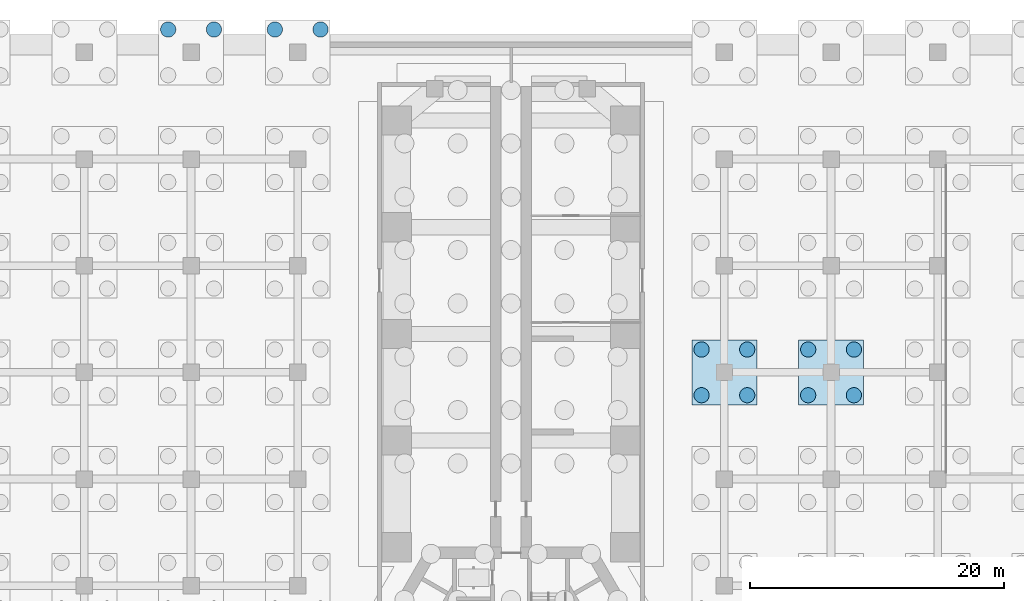
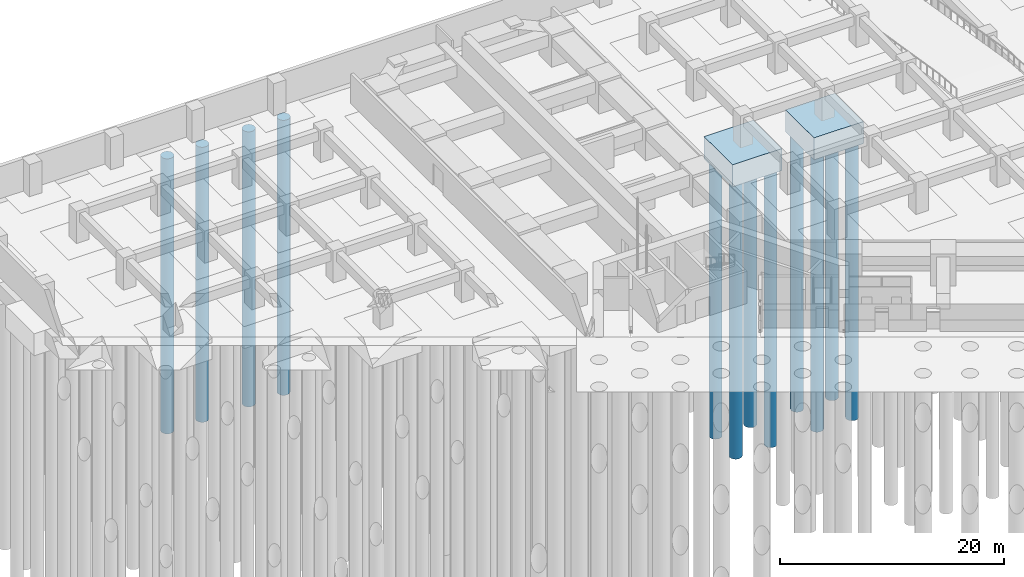
# One storey, part 41 of 73: 12 piles, 2 footings.
"""IFC4 building model written with IfcOpenShell, lengths in metres."""

import ifcopenshell
import ifcopenshell.guid

model = None  # the IFC model being written
_history = None  # IfcOwnerHistory: only IFC2X3 demands one
_inside = {}  # id of a spatial element -> (the spatial element, [elements in it])
_under = {}  # id of a project, library or spatial element -> (it, [spatial elements below it])
_declared = {}  # id of a project -> (the project, [libraries it declares])
_typed = {}  # id of a type object -> (the type object, [elements of that type])
_made_of = {}  # id of a material, layer set ... -> (it, [elements and type objects made of it])


def new_model(schema):
    """Start an empty IFC model of exactly this schema.

    Asked for "IFC4X3", IfcOpenShell would pick the latest addendum, in which some entities
    have other attributes; the version numbers below select the first issue.
    IFC2X3 requires an IfcOwnerHistory on every rooted entity: one is made here for all.
    """
    global model, _history
    if schema == "IFC4X3":
        model = ifcopenshell.file(schema_version=(4, 3, 0, 0))
    else:
        model = ifcopenshell.file(schema=schema)
    _inside.clear()
    _under.clear()
    _declared.clear()
    _typed.clear()
    _made_of.clear()
    _history = None
    if model.schema == "IFC2X3":
        org = make("IfcOrganization", Name="unknown")
        user = make(
            "IfcPersonAndOrganization",
            ThePerson=make("IfcPerson", FamilyName="unknown"),
            TheOrganization=org,
        )
        app = make(
            "IfcApplication",
            ApplicationDeveloper=org,
            Version="unknown",
            ApplicationFullName="unknown",
            ApplicationIdentifier="unknown",
        )
        _history = make(
            "IfcOwnerHistory",
            OwningUser=user,
            OwningApplication=app,
            ChangeAction="ADDED",
            CreationDate=0,
        )
    return model


def make(cls, **values):
    """One entity of the class cls with the attributes given. An attribute that is None is left unset."""
    return model.create_entity(
        cls, **{name: value for name, value in values.items() if value is not None}
    )


def rooted(cls, **values):
    """An entity with a GlobalId (a new one), such as an element, a storey or a relation."""
    return make(cls, GlobalId=ifcopenshell.guid.new(), OwnerHistory=_history, **values)


def si_unit(unit_type, name, prefix=None):
    """IfcSIUnit, for example si_unit("LENGTHUNIT", "METRE", prefix="MILLI")."""
    return make("IfcSIUnit", UnitType=unit_type, Prefix=prefix, Name=name)


def assignment(units):
    """IfcUnitAssignment: the units of a project."""
    return None if units is None else make("IfcUnitAssignment", Units=units)


def point(xyz):
    """IfcCartesianPoint."""
    return None if xyz is None else make("IfcCartesianPoint", Coordinates=xyz)


def direction(xyz):
    """IfcDirection."""
    return None if xyz is None else make("IfcDirection", DirectionRatios=xyz)


def frame(location, z_axis=None, x_axis=None):
    """IfcAxis2Placement3D, a coordinate frame: its origin and axes. An axis left out is left unset."""
    return make(
        "IfcAxis2Placement3D",
        Location=point(location),
        Axis=direction(z_axis),
        RefDirection=direction(x_axis),
    )


def frame_2d(location, x_axis=None):
    """IfcAxis2Placement2D, a coordinate frame in the plane: its origin and x axis."""
    return make(
        "IfcAxis2Placement2D", Location=point(location), RefDirection=direction(x_axis)
    )


def origin():
    """The frame at (0, 0, 0) with its axes left unset."""
    return frame((0.0, 0.0, 0.0))


def origin_2d():
    """The frame at (0, 0) in the plane with its x axis left unset."""
    return frame_2d((0.0, 0.0))


def place(relative_to, where):
    """IfcLocalPlacement: puts the frame where relative to a parent placement (None: the world)."""
    return make(
        "IfcLocalPlacement", PlacementRelTo=relative_to, RelativePlacement=where
    )


def context(
    kind, dimensions, precision=None, world=None, true_north=None, identifier=None
):
    """IfcGeometricRepresentationContext, for example the 3D "Model" context."""
    return make(
        "IfcGeometricRepresentationContext",
        ContextIdentifier=identifier,
        ContextType=kind,
        CoordinateSpaceDimension=dimensions,
        Precision=precision,
        WorldCoordinateSystem=world,
        TrueNorth=true_north,
    )


def subcontext(parent, identifier, kind, view, scale=None):
    """IfcGeometricRepresentationSubContext, for example "Body" below "Model"."""
    return make(
        "IfcGeometricRepresentationSubContext",
        ContextIdentifier=identifier,
        ContextType=kind,
        ParentContext=parent,
        TargetScale=scale,
        TargetView=view,
    )


def project(units=None, contexts=None):
    """IfcProject with its units and contexts."""
    return rooted(
        "IfcProject",
        Name="project",
        RepresentationContexts=contexts,
        UnitsInContext=assignment(units),
    )


def spatial(cls, under=None, at=None, **own):
    """A site, building, storey or space (cls), placed at a placement, below another one or the project."""
    s = rooted(cls, ObjectPlacement=at, **own)
    if under is not None:
        _under.setdefault(under.id(), (under, []))[1].append(s)
    return s


def polyline(points):
    """IfcPolyline through the points."""
    return make("IfcPolyline", Points=[point(p) for p in points])


def profile(cls, at=None, kind="AREA", **sizes):
    """A parametric profile (cls). Its sizes go by their IFC names, for example OverallWidth=200.0."""
    return make(cls, ProfileType=kind, Position=at, **sizes)


def circle(**sizes):
    """IfcCircleProfileDef."""
    return profile("IfcCircleProfileDef", **sizes)


def outline(outer, holes=None, kind="AREA"):
    """IfcArbitraryClosedProfileDef: a profile drawn as a closed curve; with holes, ...WithVoids."""
    if holes is None:
        return make("IfcArbitraryClosedProfileDef", ProfileType=kind, OuterCurve=outer)
    return make(
        "IfcArbitraryProfileDefWithVoids",
        ProfileType=kind,
        OuterCurve=outer,
        InnerCurves=holes,
    )


def extrude(swept, where, along, depth):
    """IfcExtrudedAreaSolid: the profile swept, set in the frame where, extruded along a direction by depth."""
    return make(
        "IfcExtrudedAreaSolid",
        SweptArea=swept,
        Position=where,
        ExtrudedDirection=direction(along),
        Depth=depth,
    )


def shape(context_of_items, identifier, shape_type, items):
    """IfcShapeRepresentation: the items that make up one representation, for example the "Body"."""
    return make(
        "IfcShapeRepresentation",
        ContextOfItems=context_of_items,
        RepresentationIdentifier=identifier,
        RepresentationType=shape_type,
        Items=items,
    )


def material(Name=None, Category=None):
    """IfcMaterial."""
    return make("IfcMaterial", Name=Name, Category=Category)


def material_profile(
    of_material, cross_section, Name=None, Category=None, Priority=None
):
    """IfcMaterialProfile: a cross section and its material."""
    return make(
        "IfcMaterialProfile",
        Name=Name,
        Material=of_material,
        Profile=cross_section,
        Priority=Priority,
        Category=Category,
    )


def profile_set(profiles, Name=None, composite=None):
    """IfcMaterialProfileSet."""
    return make(
        "IfcMaterialProfileSet",
        Name=Name,
        MaterialProfiles=profiles,
        CompositeProfile=composite,
    )


def made_of(thing, what):
    """Note that an element or type object is made of a material, layer set ...; save() writes the relation."""
    if what is not None:
        _made_of.setdefault(what.id(), (what, []))[1].append(thing)
    return thing


def type_object(cls, material=None, **own):
    """A type object (cls), such as IfcWallType, which elements share."""
    return made_of(rooted(cls, **own), material)


def element(
    cls,
    number,
    at=None,
    inside=None,
    cuts=None,
    type_object=None,
    material=None,
    context=None,
    identifier="Body",
    shape_type=None,
    held_by="IfcProductDefinitionShape",
    body=None,
    shapes=None,
    **own,
):
    """One element of the class cls, such as IfcWall. Its Tag is "e" and its number.

    at: its placement. inside: the storey or other place that contains it. cuts: it is an
    opening in that element (IfcRelVoidsElement). A single representation is given by context,
    identifier, shape_type and body (its items); several are given by shapes. held_by: the class
    of the entity that holds the representations. save() writes the other relations.
    """
    e = rooted(cls, Tag="e%d" % number, ObjectPlacement=at, **own)
    if body is not None:
        shapes = [shape(context, identifier, shape_type, body)]
    if shapes is not None:
        e.Representation = make(held_by, Representations=shapes)
    if inside is not None:
        _inside.setdefault(inside.id(), (inside, []))[1].append(e)
    if cuts is not None:
        rooted(
            "IfcRelVoidsElement", RelatingBuildingElement=cuts, RelatedOpeningElement=e
        )
    if type_object is not None:
        _typed.setdefault(type_object.id(), (type_object, []))[1].append(e)
    return made_of(e, material)


def aggregate(whole, parts):
    """IfcRelAggregates: a whole, such as a stair, and the parts it consists of."""
    return rooted("IfcRelAggregates", RelatingObject=whole, RelatedObjects=parts)


def save(model, path):
    """Write the relations noted so far, then the file.

    IfcRelAggregates (storeys below a building ...), IfcRelContainedInSpatialStructure (elements
    in a storey), IfcRelDefinesByType, IfcRelAssociatesMaterial and IfcRelDeclares: one each for
    every whole, place, type object, material and project.
    """
    for whole, parts in _under.values():
        aggregate(whole, parts)
    for where, things in _inside.values():
        rooted(
            "IfcRelContainedInSpatialStructure",
            RelatedElements=things,
            RelatingStructure=where,
        )
    for kind, things in _typed.values():
        rooted("IfcRelDefinesByType", RelatedObjects=things, RelatingType=kind)
    for what, things in _made_of.values():
        rooted("IfcRelAssociatesMaterial", RelatedObjects=things, RelatingMaterial=what)
    for by, libraries in _declared.values():
        rooted("IfcRelDeclares", RelatingContext=by, RelatedDefinitions=libraries)
    model.write(path)


model = new_model("IFC4")

# Units and contexts
model_context = context("Model", 3, precision=1e-05, world=origin(), true_north=direction((0.0, 1.0)))
body_context = subcontext(model_context, "Body", "Model", "MODEL_VIEW")
ifc_project = project(units=[si_unit("LENGTHUNIT", "METRE"), si_unit("AREAUNIT", "SQUARE_METRE"), si_unit("VOLUMEUNIT", "CUBIC_METRE"), si_unit("PLANEANGLEUNIT", "RADIAN"), si_unit("MASSUNIT", "GRAM", prefix="KILO")], contexts=[model_context])

# Site, building, storey
site_placement = place(None, origin())
site = spatial("IfcSite", under=ifc_project, at=site_placement, CompositionType="ELEMENT")
building_placement = place(site_placement, origin())
building = spatial("IfcBuilding", under=site, at=building_placement, Name="Impinga Residences", CompositionType="ELEMENT")
storey_placement = place(building_placement, frame((0.0, 0.0, -10.5)))
storey = spatial("IfcBuildingStorey", under=building, at=storey_placement, Name="B3", CompositionType="ELEMENT", Elevation=-10.5)

# Piles
ifc_material_1 = material(Name="Concrete C35/45", Category="concrete")
ifc_material_profile = material_profile(ifc_material_1, circle(Radius=0.60009765625, at=origin_2d()), Name="D1200")
ifc_profile_set = profile_set([ifc_material_profile], Name="Concrete C35/45")
pile_type = type_object("IfcPileType", Name="BP2 bored pile D1200", PredefinedType="BORED", material=ifc_profile_set)
pile_1_placement = place(storey_placement, frame((-23.39990234375, 52.199951171875, -2.39990234375), z_axis=(0.0, 0.0, -1.0), x_axis=(1.0, 0.0, 0.0)))
element("IfcPile", 1, at=pile_1_placement, inside=storey, type_object=pile_type, Name="Cap pile BP2 4/M-3", PredefinedType="BORED", context=body_context, shape_type="SweptSolid", body=[
    extrude(outline(polyline([(0.60009765625, 0.0), (0.59716796875, 0.058837890625), (0.58837890625, 0.116943359375), (0.57421875, 0.174072265625), (0.554443359375, 0.2294921875), (0.529052734375, 0.282958984375), (0.498779296875, 0.333251953125), (0.4638671875, 0.380615234375), (0.42431640625, 0.42431640625), (0.380615234375, 0.4638671875), (0.333251953125, 0.498779296875), (0.282958984375, 0.529052734375), (0.2294921875, 0.554443359375), (0.174072265625, 0.57421875), (0.116943359375, 0.58837890625), (0.058837890625, 0.59716796875), (0.0, 0.60009765625), (-0.058837890625, 0.59716796875), (-0.116943359375, 0.58837890625), (-0.174072265625, 0.57421875), (-0.2294921875, 0.554443359375), (-0.282958984375, 0.529052734375), (-0.333251953125, 0.498779296875), (-0.380615234375, 0.4638671875), (-0.42431640625, 0.42431640625), (-0.4638671875, 0.380615234375), (-0.498779296875, 0.333251953125), (-0.529052734375, 0.282958984375), (-0.554443359375, 0.2294921875), (-0.57421875, 0.174072265625), (-0.58837890625, 0.116943359375), (-0.59716796875, 0.058837890625), (-0.60009765625, 0.0), (-0.59716796875, -0.058837890625), (-0.58837890625, -0.116943359375), (-0.57421875, -0.174072265625), (-0.554443359375, -0.2294921875), (-0.529052734375, -0.282958984375), (-0.498779296875, -0.333251953125), (-0.4638671875, -0.380615234375), (-0.42431640625, -0.42431640625), (-0.380615234375, -0.4638671875), (-0.333251953125, -0.498779296875), (-0.282958984375, -0.529052734375), (-0.2294921875, -0.554443359375), (-0.174072265625, -0.57421875), (-0.116943359375, -0.58837890625), (-0.058837890625, -0.59716796875), (0.0, -0.60009765625), (0.058837890625, -0.59716796875), (0.116943359375, -0.58837890625), (0.174072265625, -0.57421875), (0.2294921875, -0.554443359375), (0.282958984375, -0.529052734375), (0.333251953125, -0.498779296875), (0.380615234375, -0.4638671875), (0.42431640625, -0.42431640625), (0.4638671875, -0.380615234375), (0.498779296875, -0.333251953125), (0.529052734375, -0.282958984375), (0.554443359375, -0.2294921875), (0.57421875, -0.174072265625), (0.58837890625, -0.116943359375), (0.59716796875, -0.058837890625), (0.60009765625, 0.0)])), origin(), (0.0, 0.0, 1.0), 30.0),
])
pile_2_placement = place(storey_placement, frame((-27.0, 52.199951171875, -2.39990234375), z_axis=(0.0, 0.0, -1.0), x_axis=(1.0, 0.0, 0.0)))
element("IfcPile", 2, at=pile_2_placement, inside=storey, type_object=pile_type, Name="Cap pile BP2 4/M-4", PredefinedType="BORED", context=body_context, shape_type="SweptSolid", body=[
    extrude(outline(polyline([(0.60009765625, 0.0), (0.59716796875, 0.058837890625), (0.58837890625, 0.116943359375), (0.57421875, 0.174072265625), (0.554443359375, 0.2294921875), (0.529052734375, 0.282958984375), (0.498779296875, 0.333251953125), (0.4638671875, 0.380615234375), (0.42431640625, 0.42431640625), (0.380615234375, 0.4638671875), (0.333251953125, 0.498779296875), (0.282958984375, 0.529052734375), (0.2294921875, 0.554443359375), (0.174072265625, 0.57421875), (0.116943359375, 0.58837890625), (0.058837890625, 0.59716796875), (0.0, 0.60009765625), (-0.058837890625, 0.59716796875), (-0.116943359375, 0.58837890625), (-0.174072265625, 0.57421875), (-0.2294921875, 0.554443359375), (-0.282958984375, 0.529052734375), (-0.333251953125, 0.498779296875), (-0.380615234375, 0.4638671875), (-0.42431640625, 0.42431640625), (-0.4638671875, 0.380615234375), (-0.498779296875, 0.333251953125), (-0.529052734375, 0.282958984375), (-0.554443359375, 0.2294921875), (-0.57421875, 0.174072265625), (-0.58837890625, 0.116943359375), (-0.59716796875, 0.058837890625), (-0.60009765625, 0.0), (-0.59716796875, -0.058837890625), (-0.58837890625, -0.116943359375), (-0.57421875, -0.174072265625), (-0.554443359375, -0.2294921875), (-0.529052734375, -0.282958984375), (-0.498779296875, -0.333251953125), (-0.4638671875, -0.380615234375), (-0.42431640625, -0.42431640625), (-0.380615234375, -0.4638671875), (-0.333251953125, -0.498779296875), (-0.282958984375, -0.529052734375), (-0.2294921875, -0.554443359375), (-0.174072265625, -0.57421875), (-0.116943359375, -0.58837890625), (-0.058837890625, -0.59716796875), (0.0, -0.60009765625), (0.058837890625, -0.59716796875), (0.116943359375, -0.58837890625), (0.174072265625, -0.57421875), (0.2294921875, -0.554443359375), (0.282958984375, -0.529052734375), (0.333251953125, -0.498779296875), (0.380615234375, -0.4638671875), (0.42431640625, -0.42431640625), (0.4638671875, -0.380615234375), (0.498779296875, -0.333251953125), (0.529052734375, -0.282958984375), (0.554443359375, -0.2294921875), (0.57421875, -0.174072265625), (0.58837890625, -0.116943359375), (0.59716796875, -0.058837890625), (0.60009765625, 0.0)])), origin(), (0.0, 0.0, 1.0), 30.0),
])
pile_3_placement = place(storey_placement, frame((-15.0, 52.199951171875, -2.39990234375), z_axis=(0.0, 0.0, -1.0), x_axis=(1.0, 0.0, 0.0)))
element("IfcPile", 3, at=pile_3_placement, inside=storey, type_object=pile_type, Name="Cap pile BP2 5/M-3", PredefinedType="BORED", context=body_context, shape_type="SweptSolid", body=[
    extrude(outline(polyline([(0.60009765625, 0.0), (0.59716796875, 0.058837890625), (0.58837890625, 0.116943359375), (0.57421875, 0.174072265625), (0.554443359375, 0.2294921875), (0.529052734375, 0.282958984375), (0.498779296875, 0.333251953125), (0.4638671875, 0.380615234375), (0.42431640625, 0.42431640625), (0.380615234375, 0.4638671875), (0.333251953125, 0.498779296875), (0.282958984375, 0.529052734375), (0.2294921875, 0.554443359375), (0.174072265625, 0.57421875), (0.116943359375, 0.58837890625), (0.058837890625, 0.59716796875), (0.0, 0.60009765625), (-0.058837890625, 0.59716796875), (-0.116943359375, 0.58837890625), (-0.174072265625, 0.57421875), (-0.2294921875, 0.554443359375), (-0.282958984375, 0.529052734375), (-0.333251953125, 0.498779296875), (-0.380615234375, 0.4638671875), (-0.42431640625, 0.42431640625), (-0.4638671875, 0.380615234375), (-0.498779296875, 0.333251953125), (-0.529052734375, 0.282958984375), (-0.554443359375, 0.2294921875), (-0.57421875, 0.174072265625), (-0.58837890625, 0.116943359375), (-0.59716796875, 0.058837890625), (-0.60009765625, 0.0), (-0.59716796875, -0.058837890625), (-0.58837890625, -0.116943359375), (-0.57421875, -0.174072265625), (-0.554443359375, -0.2294921875), (-0.529052734375, -0.282958984375), (-0.498779296875, -0.333251953125), (-0.4638671875, -0.380615234375), (-0.42431640625, -0.42431640625), (-0.380615234375, -0.4638671875), (-0.333251953125, -0.498779296875), (-0.282958984375, -0.529052734375), (-0.2294921875, -0.554443359375), (-0.174072265625, -0.57421875), (-0.116943359375, -0.58837890625), (-0.058837890625, -0.59716796875), (0.0, -0.60009765625), (0.058837890625, -0.59716796875), (0.116943359375, -0.58837890625), (0.174072265625, -0.57421875), (0.2294921875, -0.554443359375), (0.282958984375, -0.529052734375), (0.333251953125, -0.498779296875), (0.380615234375, -0.4638671875), (0.42431640625, -0.42431640625), (0.4638671875, -0.380615234375), (0.498779296875, -0.333251953125), (0.529052734375, -0.282958984375), (0.554443359375, -0.2294921875), (0.57421875, -0.174072265625), (0.58837890625, -0.116943359375), (0.59716796875, -0.058837890625), (0.60009765625, 0.0)])), origin(), (0.0, 0.0, 1.0), 30.0),
])
pile_4_placement = place(storey_placement, frame((-18.60009765625, 52.199951171875, -2.39990234375), z_axis=(0.0, 0.0, -1.0), x_axis=(1.0, 0.0, 0.0)))
element("IfcPile", 4, at=pile_4_placement, inside=storey, type_object=pile_type, Name="Cap pile BP2 5/M-4", PredefinedType="BORED", context=body_context, shape_type="SweptSolid", body=[
    extrude(outline(polyline([(0.60009765625, 0.0), (0.59716796875, 0.058837890625), (0.58837890625, 0.116943359375), (0.57421875, 0.174072265625), (0.554443359375, 0.2294921875), (0.529052734375, 0.282958984375), (0.498779296875, 0.333251953125), (0.4638671875, 0.380615234375), (0.42431640625, 0.42431640625), (0.380615234375, 0.4638671875), (0.333251953125, 0.498779296875), (0.282958984375, 0.529052734375), (0.2294921875, 0.554443359375), (0.174072265625, 0.57421875), (0.116943359375, 0.58837890625), (0.058837890625, 0.59716796875), (0.0, 0.60009765625), (-0.058837890625, 0.59716796875), (-0.116943359375, 0.58837890625), (-0.174072265625, 0.57421875), (-0.2294921875, 0.554443359375), (-0.282958984375, 0.529052734375), (-0.333251953125, 0.498779296875), (-0.380615234375, 0.4638671875), (-0.42431640625, 0.42431640625), (-0.4638671875, 0.380615234375), (-0.498779296875, 0.333251953125), (-0.529052734375, 0.282958984375), (-0.554443359375, 0.2294921875), (-0.57421875, 0.174072265625), (-0.58837890625, 0.116943359375), (-0.59716796875, 0.058837890625), (-0.60009765625, 0.0), (-0.59716796875, -0.058837890625), (-0.58837890625, -0.116943359375), (-0.57421875, -0.174072265625), (-0.554443359375, -0.2294921875), (-0.529052734375, -0.282958984375), (-0.498779296875, -0.333251953125), (-0.4638671875, -0.380615234375), (-0.42431640625, -0.42431640625), (-0.380615234375, -0.4638671875), (-0.333251953125, -0.498779296875), (-0.282958984375, -0.529052734375), (-0.2294921875, -0.554443359375), (-0.174072265625, -0.57421875), (-0.116943359375, -0.58837890625), (-0.058837890625, -0.59716796875), (0.0, -0.60009765625), (0.058837890625, -0.59716796875), (0.116943359375, -0.58837890625), (0.174072265625, -0.57421875), (0.2294921875, -0.554443359375), (0.282958984375, -0.529052734375), (0.333251953125, -0.498779296875), (0.380615234375, -0.4638671875), (0.42431640625, -0.42431640625), (0.4638671875, -0.380615234375), (0.498779296875, -0.333251953125), (0.529052734375, -0.282958984375), (0.554443359375, -0.2294921875), (0.57421875, -0.174072265625), (0.58837890625, -0.116943359375), (0.59716796875, -0.058837890625), (0.60009765625, 0.0)])), origin(), (0.0, 0.0, 1.0), 30.0),
])
pile_5_placement = place(storey_placement, frame((15.0, 23.39990234375, -2.39990234375), z_axis=(0.0, 0.0, -1.0), x_axis=(1.0, 0.0, 0.0)))
element("IfcPile", 5, at=pile_5_placement, inside=storey, type_object=pile_type, Name="Cap pile BP2 9/J-1", PredefinedType="BORED", context=body_context, shape_type="SweptSolid", body=[
    extrude(outline(polyline([(0.60009765625, 0.0), (0.59716796875, 0.058837890625), (0.58837890625, 0.116943359375), (0.57421875, 0.174072265625), (0.554443359375, 0.2294921875), (0.529052734375, 0.282958984375), (0.498779296875, 0.333251953125), (0.4638671875, 0.380615234375), (0.42431640625, 0.42431640625), (0.380615234375, 0.4638671875), (0.333251953125, 0.498779296875), (0.282958984375, 0.529052734375), (0.2294921875, 0.554443359375), (0.174072265625, 0.57421875), (0.116943359375, 0.58837890625), (0.058837890625, 0.59716796875), (0.0, 0.60009765625), (-0.058837890625, 0.59716796875), (-0.116943359375, 0.58837890625), (-0.174072265625, 0.57421875), (-0.2294921875, 0.554443359375), (-0.282958984375, 0.529052734375), (-0.333251953125, 0.498779296875), (-0.380615234375, 0.4638671875), (-0.42431640625, 0.42431640625), (-0.4638671875, 0.380615234375), (-0.498779296875, 0.333251953125), (-0.529052734375, 0.282958984375), (-0.554443359375, 0.2294921875), (-0.57421875, 0.174072265625), (-0.58837890625, 0.116943359375), (-0.59716796875, 0.058837890625), (-0.60009765625, 0.0), (-0.59716796875, -0.058837890625), (-0.58837890625, -0.116943359375), (-0.57421875, -0.174072265625), (-0.554443359375, -0.2294921875), (-0.529052734375, -0.282958984375), (-0.498779296875, -0.333251953125), (-0.4638671875, -0.380615234375), (-0.42431640625, -0.42431640625), (-0.380615234375, -0.4638671875), (-0.333251953125, -0.498779296875), (-0.282958984375, -0.529052734375), (-0.2294921875, -0.554443359375), (-0.174072265625, -0.57421875), (-0.116943359375, -0.58837890625), (-0.058837890625, -0.59716796875), (0.0, -0.60009765625), (0.058837890625, -0.59716796875), (0.116943359375, -0.58837890625), (0.174072265625, -0.57421875), (0.2294921875, -0.554443359375), (0.282958984375, -0.529052734375), (0.333251953125, -0.498779296875), (0.380615234375, -0.4638671875), (0.42431640625, -0.42431640625), (0.4638671875, -0.380615234375), (0.498779296875, -0.333251953125), (0.529052734375, -0.282958984375), (0.554443359375, -0.2294921875), (0.57421875, -0.174072265625), (0.58837890625, -0.116943359375), (0.59716796875, -0.058837890625), (0.60009765625, 0.0)])), origin(), (0.0, 0.0, 1.0), 30.0),
])
pile_6_placement = place(storey_placement, frame((18.60009765625, 23.39990234375, -2.39990234375), z_axis=(0.0, 0.0, -1.0), x_axis=(1.0, 0.0, 0.0)))
element("IfcPile", 6, at=pile_6_placement, inside=storey, type_object=pile_type, Name="Cap pile BP2 9/J-2", PredefinedType="BORED", context=body_context, shape_type="SweptSolid", body=[
    extrude(outline(polyline([(0.60009765625, 0.0), (0.59716796875, 0.058837890625), (0.58837890625, 0.116943359375), (0.57421875, 0.174072265625), (0.554443359375, 0.2294921875), (0.529052734375, 0.282958984375), (0.498779296875, 0.333251953125), (0.4638671875, 0.380615234375), (0.42431640625, 0.42431640625), (0.380615234375, 0.4638671875), (0.333251953125, 0.498779296875), (0.282958984375, 0.529052734375), (0.2294921875, 0.554443359375), (0.174072265625, 0.57421875), (0.116943359375, 0.58837890625), (0.058837890625, 0.59716796875), (0.0, 0.60009765625), (-0.058837890625, 0.59716796875), (-0.116943359375, 0.58837890625), (-0.174072265625, 0.57421875), (-0.2294921875, 0.554443359375), (-0.282958984375, 0.529052734375), (-0.333251953125, 0.498779296875), (-0.380615234375, 0.4638671875), (-0.42431640625, 0.42431640625), (-0.4638671875, 0.380615234375), (-0.498779296875, 0.333251953125), (-0.529052734375, 0.282958984375), (-0.554443359375, 0.2294921875), (-0.57421875, 0.174072265625), (-0.58837890625, 0.116943359375), (-0.59716796875, 0.058837890625), (-0.60009765625, 0.0), (-0.59716796875, -0.058837890625), (-0.58837890625, -0.116943359375), (-0.57421875, -0.174072265625), (-0.554443359375, -0.2294921875), (-0.529052734375, -0.282958984375), (-0.498779296875, -0.333251953125), (-0.4638671875, -0.380615234375), (-0.42431640625, -0.42431640625), (-0.380615234375, -0.4638671875), (-0.333251953125, -0.498779296875), (-0.282958984375, -0.529052734375), (-0.2294921875, -0.554443359375), (-0.174072265625, -0.57421875), (-0.116943359375, -0.58837890625), (-0.058837890625, -0.59716796875), (0.0, -0.60009765625), (0.058837890625, -0.59716796875), (0.116943359375, -0.58837890625), (0.174072265625, -0.57421875), (0.2294921875, -0.554443359375), (0.282958984375, -0.529052734375), (0.333251953125, -0.498779296875), (0.380615234375, -0.4638671875), (0.42431640625, -0.42431640625), (0.4638671875, -0.380615234375), (0.498779296875, -0.333251953125), (0.529052734375, -0.282958984375), (0.554443359375, -0.2294921875), (0.57421875, -0.174072265625), (0.58837890625, -0.116943359375), (0.59716796875, -0.058837890625), (0.60009765625, 0.0)])), origin(), (0.0, 0.0, 1.0), 30.0),
])
pile_7_placement = place(storey_placement, frame((18.60009765625, 27.0, -2.39990234375), z_axis=(0.0, 0.0, -1.0), x_axis=(1.0, 0.0, 0.0)))
element("IfcPile", 7, at=pile_7_placement, inside=storey, type_object=pile_type, Name="Cap pile BP2 9/J-3", PredefinedType="BORED", context=body_context, shape_type="SweptSolid", body=[
    extrude(outline(polyline([(0.60009765625, 0.0), (0.59716796875, 0.058837890625), (0.58837890625, 0.116943359375), (0.57421875, 0.174072265625), (0.554443359375, 0.2294921875), (0.529052734375, 0.282958984375), (0.498779296875, 0.333251953125), (0.4638671875, 0.380615234375), (0.42431640625, 0.42431640625), (0.380615234375, 0.4638671875), (0.333251953125, 0.498779296875), (0.282958984375, 0.529052734375), (0.2294921875, 0.554443359375), (0.174072265625, 0.57421875), (0.116943359375, 0.58837890625), (0.058837890625, 0.59716796875), (0.0, 0.60009765625), (-0.058837890625, 0.59716796875), (-0.116943359375, 0.58837890625), (-0.174072265625, 0.57421875), (-0.2294921875, 0.554443359375), (-0.282958984375, 0.529052734375), (-0.333251953125, 0.498779296875), (-0.380615234375, 0.4638671875), (-0.42431640625, 0.42431640625), (-0.4638671875, 0.380615234375), (-0.498779296875, 0.333251953125), (-0.529052734375, 0.282958984375), (-0.554443359375, 0.2294921875), (-0.57421875, 0.174072265625), (-0.58837890625, 0.116943359375), (-0.59716796875, 0.058837890625), (-0.60009765625, 0.0), (-0.59716796875, -0.058837890625), (-0.58837890625, -0.116943359375), (-0.57421875, -0.174072265625), (-0.554443359375, -0.2294921875), (-0.529052734375, -0.282958984375), (-0.498779296875, -0.333251953125), (-0.4638671875, -0.380615234375), (-0.42431640625, -0.42431640625), (-0.380615234375, -0.4638671875), (-0.333251953125, -0.498779296875), (-0.282958984375, -0.529052734375), (-0.2294921875, -0.554443359375), (-0.174072265625, -0.57421875), (-0.116943359375, -0.58837890625), (-0.058837890625, -0.59716796875), (0.0, -0.60009765625), (0.058837890625, -0.59716796875), (0.116943359375, -0.58837890625), (0.174072265625, -0.57421875), (0.2294921875, -0.554443359375), (0.282958984375, -0.529052734375), (0.333251953125, -0.498779296875), (0.380615234375, -0.4638671875), (0.42431640625, -0.42431640625), (0.4638671875, -0.380615234375), (0.498779296875, -0.333251953125), (0.529052734375, -0.282958984375), (0.554443359375, -0.2294921875), (0.57421875, -0.174072265625), (0.58837890625, -0.116943359375), (0.59716796875, -0.058837890625), (0.60009765625, 0.0)])), origin(), (0.0, 0.0, 1.0), 30.0),
])
pile_8_placement = place(storey_placement, frame((15.0, 27.0, -2.39990234375), z_axis=(0.0, 0.0, -1.0), x_axis=(1.0, 0.0, 0.0)))
element("IfcPile", 8, at=pile_8_placement, inside=storey, type_object=pile_type, Name="Cap pile BP2 9/J-4", PredefinedType="BORED", context=body_context, shape_type="SweptSolid", body=[
    extrude(outline(polyline([(0.60009765625, 0.0), (0.59716796875, 0.058837890625), (0.58837890625, 0.116943359375), (0.57421875, 0.174072265625), (0.554443359375, 0.2294921875), (0.529052734375, 0.282958984375), (0.498779296875, 0.333251953125), (0.4638671875, 0.380615234375), (0.42431640625, 0.42431640625), (0.380615234375, 0.4638671875), (0.333251953125, 0.498779296875), (0.282958984375, 0.529052734375), (0.2294921875, 0.554443359375), (0.174072265625, 0.57421875), (0.116943359375, 0.58837890625), (0.058837890625, 0.59716796875), (0.0, 0.60009765625), (-0.058837890625, 0.59716796875), (-0.116943359375, 0.58837890625), (-0.174072265625, 0.57421875), (-0.2294921875, 0.554443359375), (-0.282958984375, 0.529052734375), (-0.333251953125, 0.498779296875), (-0.380615234375, 0.4638671875), (-0.42431640625, 0.42431640625), (-0.4638671875, 0.380615234375), (-0.498779296875, 0.333251953125), (-0.529052734375, 0.282958984375), (-0.554443359375, 0.2294921875), (-0.57421875, 0.174072265625), (-0.58837890625, 0.116943359375), (-0.59716796875, 0.058837890625), (-0.60009765625, 0.0), (-0.59716796875, -0.058837890625), (-0.58837890625, -0.116943359375), (-0.57421875, -0.174072265625), (-0.554443359375, -0.2294921875), (-0.529052734375, -0.282958984375), (-0.498779296875, -0.333251953125), (-0.4638671875, -0.380615234375), (-0.42431640625, -0.42431640625), (-0.380615234375, -0.4638671875), (-0.333251953125, -0.498779296875), (-0.282958984375, -0.529052734375), (-0.2294921875, -0.554443359375), (-0.174072265625, -0.57421875), (-0.116943359375, -0.58837890625), (-0.058837890625, -0.59716796875), (0.0, -0.60009765625), (0.058837890625, -0.59716796875), (0.116943359375, -0.58837890625), (0.174072265625, -0.57421875), (0.2294921875, -0.554443359375), (0.282958984375, -0.529052734375), (0.333251953125, -0.498779296875), (0.380615234375, -0.4638671875), (0.42431640625, -0.42431640625), (0.4638671875, -0.380615234375), (0.498779296875, -0.333251953125), (0.529052734375, -0.282958984375), (0.554443359375, -0.2294921875), (0.57421875, -0.174072265625), (0.58837890625, -0.116943359375), (0.59716796875, -0.058837890625), (0.60009765625, 0.0)])), origin(), (0.0, 0.0, 1.0), 30.0),
])
pile_9_placement = place(storey_placement, frame((23.39990234375, 23.39990234375, -2.39990234375), z_axis=(0.0, 0.0, -1.0), x_axis=(1.0, 0.0, 0.0)))
element("IfcPile", 9, at=pile_9_placement, inside=storey, type_object=pile_type, Name="Cap pile BP2 10/J-1", PredefinedType="BORED", context=body_context, shape_type="SweptSolid", body=[
    extrude(outline(polyline([(0.60009765625, 0.0), (0.59716796875, 0.058837890625), (0.58837890625, 0.116943359375), (0.57421875, 0.174072265625), (0.554443359375, 0.2294921875), (0.529052734375, 0.282958984375), (0.498779296875, 0.333251953125), (0.4638671875, 0.380615234375), (0.42431640625, 0.42431640625), (0.380615234375, 0.4638671875), (0.333251953125, 0.498779296875), (0.282958984375, 0.529052734375), (0.2294921875, 0.554443359375), (0.174072265625, 0.57421875), (0.116943359375, 0.58837890625), (0.058837890625, 0.59716796875), (0.0, 0.60009765625), (-0.058837890625, 0.59716796875), (-0.116943359375, 0.58837890625), (-0.174072265625, 0.57421875), (-0.2294921875, 0.554443359375), (-0.282958984375, 0.529052734375), (-0.333251953125, 0.498779296875), (-0.380615234375, 0.4638671875), (-0.42431640625, 0.42431640625), (-0.4638671875, 0.380615234375), (-0.498779296875, 0.333251953125), (-0.529052734375, 0.282958984375), (-0.554443359375, 0.2294921875), (-0.57421875, 0.174072265625), (-0.58837890625, 0.116943359375), (-0.59716796875, 0.058837890625), (-0.60009765625, 0.0), (-0.59716796875, -0.058837890625), (-0.58837890625, -0.116943359375), (-0.57421875, -0.174072265625), (-0.554443359375, -0.2294921875), (-0.529052734375, -0.282958984375), (-0.498779296875, -0.333251953125), (-0.4638671875, -0.380615234375), (-0.42431640625, -0.42431640625), (-0.380615234375, -0.4638671875), (-0.333251953125, -0.498779296875), (-0.282958984375, -0.529052734375), (-0.2294921875, -0.554443359375), (-0.174072265625, -0.57421875), (-0.116943359375, -0.58837890625), (-0.058837890625, -0.59716796875), (0.0, -0.60009765625), (0.058837890625, -0.59716796875), (0.116943359375, -0.58837890625), (0.174072265625, -0.57421875), (0.2294921875, -0.554443359375), (0.282958984375, -0.529052734375), (0.333251953125, -0.498779296875), (0.380615234375, -0.4638671875), (0.42431640625, -0.42431640625), (0.4638671875, -0.380615234375), (0.498779296875, -0.333251953125), (0.529052734375, -0.282958984375), (0.554443359375, -0.2294921875), (0.57421875, -0.174072265625), (0.58837890625, -0.116943359375), (0.59716796875, -0.058837890625), (0.60009765625, 0.0)])), origin(), (0.0, 0.0, 1.0), 30.0),
])
pile_10_placement = place(storey_placement, frame((27.0, 23.39990234375, -2.39990234375), z_axis=(0.0, 0.0, -1.0), x_axis=(1.0, 0.0, 0.0)))
element("IfcPile", 10, at=pile_10_placement, inside=storey, type_object=pile_type, Name="Cap pile BP2 10/J-2", PredefinedType="BORED", context=body_context, shape_type="SweptSolid", body=[
    extrude(outline(polyline([(0.60009765625, 0.0), (0.59716796875, 0.058837890625), (0.58837890625, 0.116943359375), (0.57421875, 0.174072265625), (0.554443359375, 0.2294921875), (0.529052734375, 0.282958984375), (0.498779296875, 0.333251953125), (0.4638671875, 0.380615234375), (0.42431640625, 0.42431640625), (0.380615234375, 0.4638671875), (0.333251953125, 0.498779296875), (0.282958984375, 0.529052734375), (0.2294921875, 0.554443359375), (0.174072265625, 0.57421875), (0.116943359375, 0.58837890625), (0.058837890625, 0.59716796875), (0.0, 0.60009765625), (-0.058837890625, 0.59716796875), (-0.116943359375, 0.58837890625), (-0.174072265625, 0.57421875), (-0.2294921875, 0.554443359375), (-0.282958984375, 0.529052734375), (-0.333251953125, 0.498779296875), (-0.380615234375, 0.4638671875), (-0.42431640625, 0.42431640625), (-0.4638671875, 0.380615234375), (-0.498779296875, 0.333251953125), (-0.529052734375, 0.282958984375), (-0.554443359375, 0.2294921875), (-0.57421875, 0.174072265625), (-0.58837890625, 0.116943359375), (-0.59716796875, 0.058837890625), (-0.60009765625, 0.0), (-0.59716796875, -0.058837890625), (-0.58837890625, -0.116943359375), (-0.57421875, -0.174072265625), (-0.554443359375, -0.2294921875), (-0.529052734375, -0.282958984375), (-0.498779296875, -0.333251953125), (-0.4638671875, -0.380615234375), (-0.42431640625, -0.42431640625), (-0.380615234375, -0.4638671875), (-0.333251953125, -0.498779296875), (-0.282958984375, -0.529052734375), (-0.2294921875, -0.554443359375), (-0.174072265625, -0.57421875), (-0.116943359375, -0.58837890625), (-0.058837890625, -0.59716796875), (0.0, -0.60009765625), (0.058837890625, -0.59716796875), (0.116943359375, -0.58837890625), (0.174072265625, -0.57421875), (0.2294921875, -0.554443359375), (0.282958984375, -0.529052734375), (0.333251953125, -0.498779296875), (0.380615234375, -0.4638671875), (0.42431640625, -0.42431640625), (0.4638671875, -0.380615234375), (0.498779296875, -0.333251953125), (0.529052734375, -0.282958984375), (0.554443359375, -0.2294921875), (0.57421875, -0.174072265625), (0.58837890625, -0.116943359375), (0.59716796875, -0.058837890625), (0.60009765625, 0.0)])), origin(), (0.0, 0.0, 1.0), 30.0),
])
pile_11_placement = place(storey_placement, frame((27.0, 27.0, -2.39990234375), z_axis=(0.0, 0.0, -1.0), x_axis=(1.0, 0.0, 0.0)))
element("IfcPile", 11, at=pile_11_placement, inside=storey, type_object=pile_type, Name="Cap pile BP2 10/J-3", PredefinedType="BORED", context=body_context, shape_type="SweptSolid", body=[
    extrude(outline(polyline([(0.60009765625, 0.0), (0.59716796875, 0.058837890625), (0.58837890625, 0.116943359375), (0.57421875, 0.174072265625), (0.554443359375, 0.2294921875), (0.529052734375, 0.282958984375), (0.498779296875, 0.333251953125), (0.4638671875, 0.380615234375), (0.42431640625, 0.42431640625), (0.380615234375, 0.4638671875), (0.333251953125, 0.498779296875), (0.282958984375, 0.529052734375), (0.2294921875, 0.554443359375), (0.174072265625, 0.57421875), (0.116943359375, 0.58837890625), (0.058837890625, 0.59716796875), (0.0, 0.60009765625), (-0.058837890625, 0.59716796875), (-0.116943359375, 0.58837890625), (-0.174072265625, 0.57421875), (-0.2294921875, 0.554443359375), (-0.282958984375, 0.529052734375), (-0.333251953125, 0.498779296875), (-0.380615234375, 0.4638671875), (-0.42431640625, 0.42431640625), (-0.4638671875, 0.380615234375), (-0.498779296875, 0.333251953125), (-0.529052734375, 0.282958984375), (-0.554443359375, 0.2294921875), (-0.57421875, 0.174072265625), (-0.58837890625, 0.116943359375), (-0.59716796875, 0.058837890625), (-0.60009765625, 0.0), (-0.59716796875, -0.058837890625), (-0.58837890625, -0.116943359375), (-0.57421875, -0.174072265625), (-0.554443359375, -0.2294921875), (-0.529052734375, -0.282958984375), (-0.498779296875, -0.333251953125), (-0.4638671875, -0.380615234375), (-0.42431640625, -0.42431640625), (-0.380615234375, -0.4638671875), (-0.333251953125, -0.498779296875), (-0.282958984375, -0.529052734375), (-0.2294921875, -0.554443359375), (-0.174072265625, -0.57421875), (-0.116943359375, -0.58837890625), (-0.058837890625, -0.59716796875), (0.0, -0.60009765625), (0.058837890625, -0.59716796875), (0.116943359375, -0.58837890625), (0.174072265625, -0.57421875), (0.2294921875, -0.554443359375), (0.282958984375, -0.529052734375), (0.333251953125, -0.498779296875), (0.380615234375, -0.4638671875), (0.42431640625, -0.42431640625), (0.4638671875, -0.380615234375), (0.498779296875, -0.333251953125), (0.529052734375, -0.282958984375), (0.554443359375, -0.2294921875), (0.57421875, -0.174072265625), (0.58837890625, -0.116943359375), (0.59716796875, -0.058837890625), (0.60009765625, 0.0)])), origin(), (0.0, 0.0, 1.0), 30.0),
])
pile_12_placement = place(storey_placement, frame((23.39990234375, 27.0, -2.39990234375), z_axis=(0.0, 0.0, -1.0), x_axis=(1.0, 0.0, 0.0)))
element("IfcPile", 12, at=pile_12_placement, inside=storey, type_object=pile_type, Name="Cap pile BP2 10/J-4", PredefinedType="BORED", context=body_context, shape_type="SweptSolid", body=[
    extrude(outline(polyline([(0.60009765625, 0.0), (0.59716796875, 0.058837890625), (0.58837890625, 0.116943359375), (0.57421875, 0.174072265625), (0.554443359375, 0.2294921875), (0.529052734375, 0.282958984375), (0.498779296875, 0.333251953125), (0.4638671875, 0.380615234375), (0.42431640625, 0.42431640625), (0.380615234375, 0.4638671875), (0.333251953125, 0.498779296875), (0.282958984375, 0.529052734375), (0.2294921875, 0.554443359375), (0.174072265625, 0.57421875), (0.116943359375, 0.58837890625), (0.058837890625, 0.59716796875), (0.0, 0.60009765625), (-0.058837890625, 0.59716796875), (-0.116943359375, 0.58837890625), (-0.174072265625, 0.57421875), (-0.2294921875, 0.554443359375), (-0.282958984375, 0.529052734375), (-0.333251953125, 0.498779296875), (-0.380615234375, 0.4638671875), (-0.42431640625, 0.42431640625), (-0.4638671875, 0.380615234375), (-0.498779296875, 0.333251953125), (-0.529052734375, 0.282958984375), (-0.554443359375, 0.2294921875), (-0.57421875, 0.174072265625), (-0.58837890625, 0.116943359375), (-0.59716796875, 0.058837890625), (-0.60009765625, 0.0), (-0.59716796875, -0.058837890625), (-0.58837890625, -0.116943359375), (-0.57421875, -0.174072265625), (-0.554443359375, -0.2294921875), (-0.529052734375, -0.282958984375), (-0.498779296875, -0.333251953125), (-0.4638671875, -0.380615234375), (-0.42431640625, -0.42431640625), (-0.380615234375, -0.4638671875), (-0.333251953125, -0.498779296875), (-0.282958984375, -0.529052734375), (-0.2294921875, -0.554443359375), (-0.174072265625, -0.57421875), (-0.116943359375, -0.58837890625), (-0.058837890625, -0.59716796875), (0.0, -0.60009765625), (0.058837890625, -0.59716796875), (0.116943359375, -0.58837890625), (0.174072265625, -0.57421875), (0.2294921875, -0.554443359375), (0.282958984375, -0.529052734375), (0.333251953125, -0.498779296875), (0.380615234375, -0.4638671875), (0.42431640625, -0.42431640625), (0.4638671875, -0.380615234375), (0.498779296875, -0.333251953125), (0.529052734375, -0.282958984375), (0.554443359375, -0.2294921875), (0.57421875, -0.174072265625), (0.58837890625, -0.116943359375), (0.59716796875, -0.058837890625), (0.60009765625, 0.0)])), origin(), (0.0, 0.0, 1.0), 30.0),
])

# Footings
ifc_material_2 = material(Name="Concrete C45/55", Category="concrete")
footing_type = type_object("IfcFootingType", Name="PC4 four-pile cap 5100 square 2400 deep", PredefinedType="PILE_CAP", material=ifc_material_2)
footing_1_placement = place(storey_placement, frame((0.0, 0.0, -2.39990234375)))
element("IfcFooting", 13, at=footing_1_placement, inside=storey, type_object=footing_type, Name="Pile cap PC4 9/J", PredefinedType="PILE_CAP", context=body_context, shape_type="SweptSolid", body=[
    extrude(outline(polyline([(19.35009765625, 22.64990234375), (19.35009765625, 27.75), (14.25, 27.75), (14.25, 22.64990234375), (19.35009765625, 22.64990234375)])), origin(), (0.0, 0.0, 1.0), 2.39990234375),
])
footing_2_placement = place(storey_placement, frame((0.0, 0.0, -2.39990234375)))
element("IfcFooting", 14, at=footing_2_placement, inside=storey, type_object=footing_type, Name="Pile cap PC4 10/J", PredefinedType="PILE_CAP", context=body_context, shape_type="SweptSolid", body=[
    extrude(outline(polyline([(27.75, 22.64990234375), (27.75, 27.75), (22.64990234375, 27.75), (22.64990234375, 22.64990234375), (27.75, 22.64990234375)])), origin(), (0.0, 0.0, 1.0), 2.39990234375),
])

save(model, "model.ifc")
